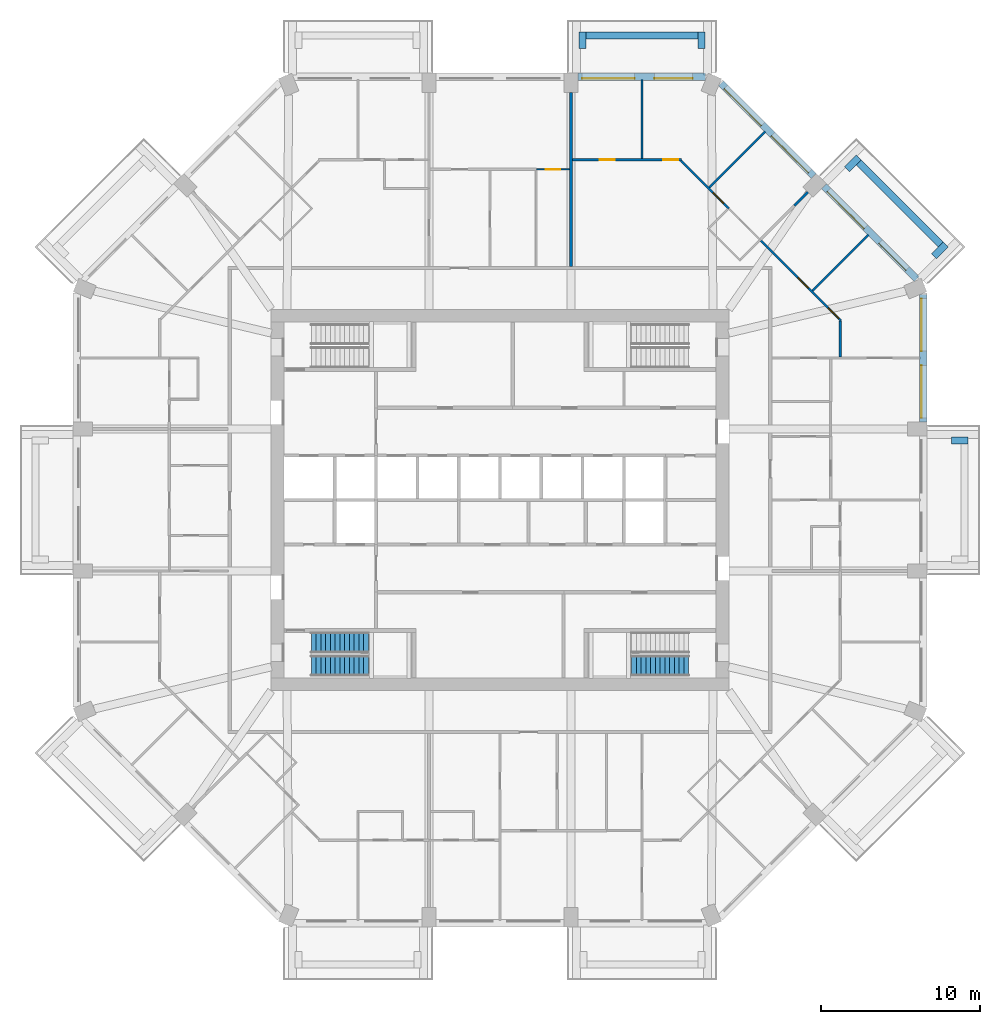
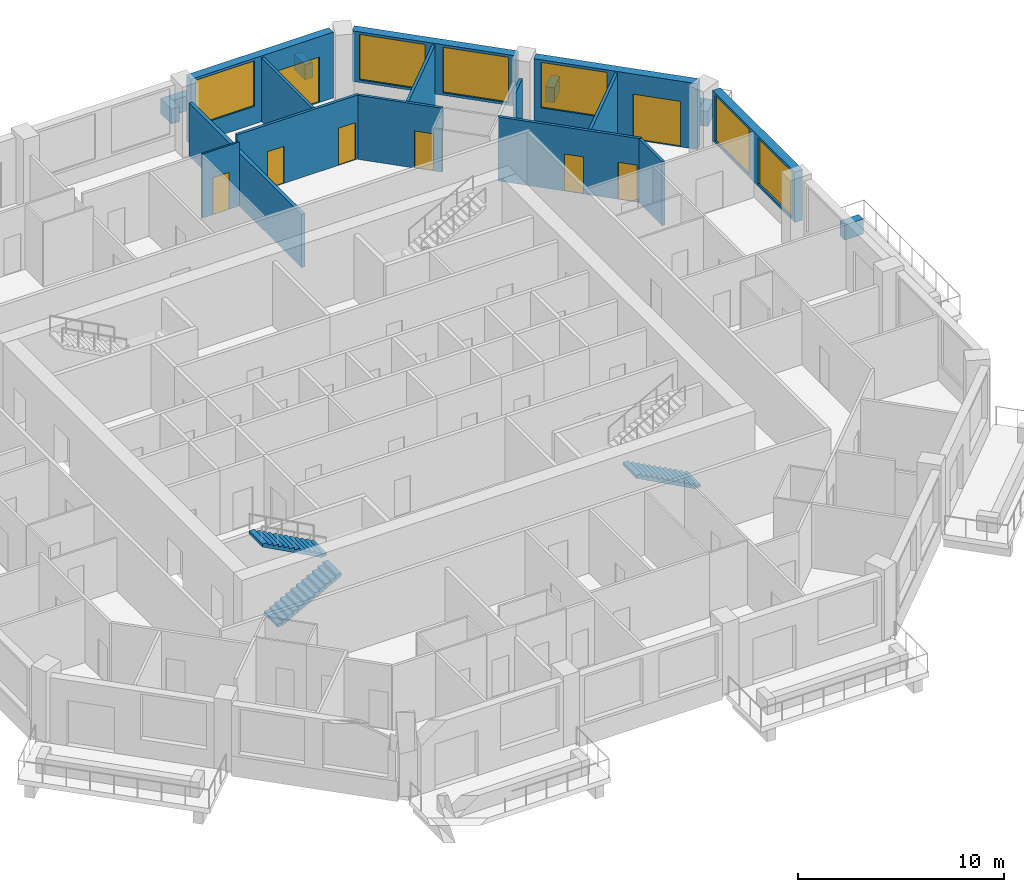
# One storey, part 10 of 13: 21 walls, 8 doors, 6 windows, 3 stair flights, 14 openings, 2 elements without a shape of their own.
"""IFC4 building model written with IfcOpenShell, lengths in metres."""

from ifc_helpers import new_model, si_unit, direction, frame, frame_2d, origin, place, context, subcontext, project, spatial, polyline, rectangle, outline, extrude, material, layer, layer_set, type_object, element, fill, aggregate, save


model = new_model("IFC4")

# Units and contexts
model_context = context("Model", 3, precision=1e-05, world=origin(), true_north=direction((0.0, 1.0)))
body_context = subcontext(model_context, "Body", "Model", "MODEL_VIEW")
ifc_project = project(units=[si_unit("LENGTHUNIT", "METRE"), si_unit("AREAUNIT", "SQUARE_METRE"), si_unit("VOLUMEUNIT", "CUBIC_METRE"), si_unit("PLANEANGLEUNIT", "RADIAN"), si_unit("MASSUNIT", "GRAM", prefix="KILO")], contexts=[model_context])

# Site, building, storey
site_placement = place(None, origin())
site = spatial("IfcSite", under=ifc_project, at=site_placement, CompositionType="ELEMENT")
building_placement = place(site_placement, origin())
building = spatial("IfcBuilding", under=site, at=building_placement, Name="Msitu Wima Residences", CompositionType="ELEMENT")
storey_placement = place(building_placement, frame((0.0, 0.0, 152.699951171875)))
storey = spatial("IfcBuildingStorey", under=building, at=storey_placement, Name="L35", CompositionType="ELEMENT", Elevation=152.699951171875)

# Walls
ifc_material_1 = material(Name="Facing brick")
ifc_layer_1 = layer(ifc_material_1, 0.06494140625, Name="Facing brick")
ifc_material_2 = material(Name="Concrete C40/50", Category="concrete")
ifc_layer_2 = layer(ifc_material_2, 0.156005859375, Name="Concrete C40/50")
ifc_material_3 = material(Name="Waterproofing membrane")
ifc_layer_3 = layer(ifc_material_3, 0.00390625, Name="Waterproofing membrane")
ifc_material_4 = material(Name="Planting soil and planting")
ifc_layer_4 = layer(ifc_material_4, 0.22509765625, Name="Planting soil and planting")
ifc_layer_set_1 = layer_set([ifc_layer_1, ifc_layer_2, ifc_layer_3, ifc_layer_4], Name="Concrete C40/50")
wall_type_1 = type_object("IfcWallType", Name="Balcony planter PLANTER PL450", PredefinedType="USERDEFINED", material=ifc_layer_set_1)
wall_1_placement = place(storey_placement, frame((28.39990234375, 3.74365234375, 0.0), z_axis=(0.0, 0.0, 1.0), x_axis=(1.0, 0.0, 0.0)))
element("IfcWall", 1, at=wall_1_placement, inside=storey, type_object=wall_type_1, Name="Balcony planter E1 L35", ObjectType="PLANTER", PredefinedType="USERDEFINED", context=body_context, shape_type="SweptSolid", body=[
    extrude(rectangle(XDim=1.050048828125, YDim=0.449951171875, at=frame_2d((0.52490234375, 0.0))), origin(), (0.0, 0.0, 1.0), 0.900146484375),
])
wall_2_placement = place(storey_placement, frame((27.725830078125, 16.0751953125, 0.0), z_axis=(0.0, 0.0, 1.0), x_axis=(-0.707106781187, 0.707106781187, 0.0)))
element("IfcWall", 2, at=wall_2_placement, inside=storey, type_object=wall_type_1, Name="Balcony planter NE0 L35", ObjectType="PLANTER", PredefinedType="USERDEFINED", context=body_context, shape_type="SweptSolid", body=[
    extrude(rectangle(XDim=7.288330078125, YDim=0.449951171875, at=frame_2d((3.64404296875, 0.0))), origin(), (0.0, 0.0, 1.0), 0.900146484375),
])
for number, where, z_axis, x_axis, name in (
    (3, (27.301513671875, 15.332763671875, 0.0), (0.0, 0.0, 1.0), (0.707106781187, 0.707106781187, 0.0), "Balcony planter NE0 L35"),
    (4, (21.829833984375, 20.804443359375, 0.0), (0.0, 0.0, 1.0), (0.707106781187, 0.707106781187, 0.0), "Balcony planter NE0 L35"),
):
    element("IfcWall", number, at=place(storey_placement, frame(where, z_axis=z_axis, x_axis=x_axis)), inside=storey, type_object=wall_type_1, Name=name, ObjectType="PLANTER", PredefinedType="USERDEFINED", context=body_context, shape_type="SweptSolid", body=[
        extrude(rectangle(XDim=1.050048828125, YDim=0.449951171875, at=frame_2d((0.52490234375, 0.0))), origin(), (0.0, 0.0, 1.0), 0.900146484375),
    ])
wall_3_placement = place(storey_placement, frame((12.455810546875, 29.22509765625, 0.0), z_axis=(0.0, 0.0, 1.0), x_axis=(-1.0, 0.0, 0.0)))
element("IfcWall", 5, at=wall_3_placement, inside=storey, type_object=wall_type_1, Name="Balcony planter N0 L35", ObjectType="PLANTER", PredefinedType="USERDEFINED", context=body_context, shape_type="SweptSolid", body=[
    extrude(rectangle(XDim=7.037109375, YDim=0.449951171875, at=frame_2d((3.5185546875, 0.0))), origin(), (0.0, 0.0, 1.0), 0.900146484375),
])
for number, where, z_axis, x_axis, name in (
    (6, (12.680908203125, 28.39990234375, 0.0), (0.0, 0.0, 1.0), (0.0, 1.0, 0.0), "Balcony planter N0 L35"),
    (7, (5.193603515625, 28.39990234375, 0.0), (0.0, 0.0, 1.0), (0.0, 1.0, 0.0), "Balcony planter N0 L35"),
):
    element("IfcWall", number, at=place(storey_placement, frame(where, z_axis=z_axis, x_axis=x_axis)), inside=storey, type_object=wall_type_1, Name=name, ObjectType="PLANTER", PredefinedType="USERDEFINED", context=body_context, shape_type="SweptSolid", body=[
        extrude(rectangle(XDim=1.050048828125, YDim=0.449951171875, at=frame_2d((0.52490234375, 0.0))), origin(), (0.0, 0.0, 1.0), 0.900146484375),
    ])

# Wall, openings, windows
ifc_material_5 = material(Name="Brick (red buff mix)", Category="masonry")
ifc_layer_5 = layer(ifc_material_5, 0.449951171875)
ifc_layer_set_2 = layer_set([ifc_layer_5], Name="Brick (red buff mix)")
wall_type_2 = type_object("IfcWallType", Name="Brick infill wall BW450", PredefinedType="SOLIDWALL", material=ifc_layer_set_2)
wall_4_placement = place(storey_placement, frame((26.625, 4.918701171875, 0.900146484375), z_axis=(0.0, 0.0, 1.0), x_axis=(0.0, 1.0, 0.0)))
wall_4 = element("IfcWall", 8, at=wall_4_placement, inside=storey, type_object=wall_type_2, Name="Brick infill wall L35 E2", PredefinedType="SOLIDWALL", context=body_context, shape_type="SweptSolid", body=[
    extrude(rectangle(XDim=8.0, YDim=0.449951171875, at=frame_2d((4.0, 0.0))), origin(), (0.0, 0.0, 1.0), 3.0),
])
opening_1_placement = place(wall_4_placement, frame((0.25, 0.0, 0.14990234375)))
opening_1 = element("IfcOpeningElement", 9, at=opening_1_placement, cuts=wall_4, Name="Opening W34-35.004", PredefinedType="OPENING", context=body_context, shape_type="SweptSolid", body=[
    extrude(rectangle(XDim=3.300048828125, YDim=2.699951171875, at=frame_2d((1.64990234375, 1.35009765625))), frame((0.0, 0.23486328125, 0.0), z_axis=(0.0, -1.0, 0.0), x_axis=(1.0, 0.0, 0.0)), (0.0, 0.0, 1.0), 0.469970703125),
])
opening_2_placement = place(wall_4_placement, frame((4.4501953125, 0.0, 0.14990234375)))
opening_2 = element("IfcOpeningElement", 10, at=opening_2_placement, cuts=wall_4, Name="Opening W34-35.005", PredefinedType="OPENING", context=body_context, shape_type="SweptSolid", body=[
    extrude(rectangle(XDim=3.300048828125, YDim=2.699951171875, at=frame_2d((1.64990234375, 1.35009765625))), frame((0.0, 0.23486328125, 0.0), z_axis=(0.0, -1.0, 0.0), x_axis=(1.0, 0.0, 0.0)), (0.0, 0.0, 1.0), 0.469970703125),
])
ifc_material_6 = material(Name="Anodised aluminium, bronze finish, clear low-emissivity double glazing", Category="aluminium")
window_type = type_object("IfcWindowType", Name="Window W3300x2700", PartitioningType="DOUBLE_PANEL_VERTICAL", PredefinedType="WINDOW", material=ifc_material_6)
window_1_placement = place(opening_1_placement, origin())
window_1 = element("IfcWindow", 11, at=window_1_placement, inside=storey, type_object=window_type, Name="Window L35 E2.1", OverallHeight=2.699951171875, OverallWidth=3.300048828125, PartitioningType="SINGLE_PANEL", PredefinedType="WINDOW", context=body_context, shape_type="SweptSolid", body=[
    extrude(rectangle(XDim=3.300048828125, YDim=2.699951171875, at=frame_2d((1.64990234375, 1.35009765625))), frame((0.0, 0.135009765625, 0.0), z_axis=(0.0, -1.0, 0.0), x_axis=(1.0, 0.0, 0.0)), (0.0, 0.0, 1.0), 0.06005859375),
])
fill(opening_1, window_1)
window_2_placement = place(opening_2_placement, origin())
window_2 = element("IfcWindow", 12, at=window_2_placement, inside=storey, type_object=window_type, Name="Window L35 E2.2", OverallHeight=2.699951171875, OverallWidth=3.300048828125, PartitioningType="SINGLE_PANEL", PredefinedType="WINDOW", context=body_context, shape_type="SweptSolid", body=[
    extrude(rectangle(XDim=3.300048828125, YDim=2.699951171875, at=frame_2d((1.64990234375, 1.35009765625))), frame((0.0, 0.135009765625, 0.0), z_axis=(0.0, -1.0, 0.0), x_axis=(1.0, 0.0, 0.0)), (0.0, 0.0, 1.0), 0.06005859375),
])
fill(opening_2, window_2)

# Wall, openings, door, window
wall_5_placement = place(storey_placement, frame((26.214599609375, 13.909423828125, 0.0), z_axis=(0.0, 0.0, 1.0), x_axis=(-0.707106781187, 0.707106781187, 0.0)))
wall_5 = element("IfcWall", 13, at=wall_5_placement, inside=storey, type_object=wall_type_2, Name="Brick infill wall L35 NE0", PredefinedType="SOLIDWALL", context=body_context, shape_type="SweptSolid", body=[
    extrude(rectangle(XDim=8.251220703125, YDim=0.449951171875, at=frame_2d((4.12548828125, 0.0))), origin(), (0.0, 0.0, 1.0), 3.900146484375),
])
opening_3_placement = place(wall_5_placement, frame((0.86279296875, 0.0, 0.0)))
opening_3 = element("IfcOpeningElement", 14, at=opening_3_placement, cuts=wall_5, Name="Opening D34-35.004", PredefinedType="OPENING", context=body_context, shape_type="SweptSolid", body=[
    extrude(rectangle(XDim=2.39990234375, YDim=2.699951171875, at=frame_2d((1.199951171875, 1.35009765625))), frame((0.0, 0.23486328125, 0.0), z_axis=(0.0, -1.0, 0.0), x_axis=(1.0, 0.0, 0.0)), (0.0, 0.0, 1.0), 0.469970703125),
])
opening_4_placement = place(wall_5_placement, frame((4.57568359375, 0.0, 1.050048828125)))
opening_4 = element("IfcOpeningElement", 15, at=opening_4_placement, cuts=wall_5, Name="Opening W34-35.010", PredefinedType="OPENING", context=body_context, shape_type="SweptSolid", body=[
    extrude(rectangle(XDim=3.300048828125, YDim=2.699951171875, at=frame_2d((1.64990234375, 1.35009765625))), frame((0.0, 0.23486328125, 0.0), z_axis=(0.0, -1.0, 0.0), x_axis=(1.0, 0.0, 0.0)), (0.0, 0.0, 1.0), 0.469970703125),
])
door_type_1 = type_object("IfcDoorType", Name="Balcony door D2400x2700", OperationType="SLIDING_TO_LEFT", PredefinedType="DOOR", material=ifc_material_6)
door_1_placement = place(opening_3_placement, origin())
door_1 = element("IfcDoor", 16, at=door_1_placement, inside=storey, type_object=door_type_1, Name="Balcony door L35 NE0", OperationType="SINGLE_SWING_LEFT", OverallHeight=2.699951171875, OverallWidth=2.39990234375, PredefinedType="DOOR", context=body_context, shape_type="SweptSolid", body=[
    extrude(rectangle(XDim=2.39990234375, YDim=2.699951171875, at=frame_2d((1.199951171875, 1.35009765625))), frame((0.0, 0.1298828125, 0.0), z_axis=(0.0, -1.0, 0.0), x_axis=(1.0, 0.0, 0.0)), (0.0, 0.0, 1.0), 0.050048828125),
])
fill(opening_3, door_1)
window_3_placement = place(opening_4_placement, origin())
window_3 = element("IfcWindow", 17, at=window_3_placement, inside=storey, type_object=window_type, Name="Window L35 NE0.2", OverallHeight=2.699951171875, OverallWidth=3.300048828125, PartitioningType="SINGLE_PANEL", PredefinedType="WINDOW", context=body_context, shape_type="SweptSolid", body=[
    extrude(rectangle(XDim=3.300048828125, YDim=2.699951171875, at=frame_2d((1.64990234375, 1.35009765625))), frame((0.0, 0.135009765625, 0.0), z_axis=(0.0, -1.0, 0.0), x_axis=(1.0, 0.0, 0.0)), (0.0, 0.0, 1.0), 0.06005859375),
])
fill(opening_4, window_3)

# Wall, openings, windows
wall_6_placement = place(storey_placement, frame((19.743896484375, 20.380126953125, 0.900146484375), z_axis=(0.0, 0.0, 1.0), x_axis=(-0.707106781187, 0.707106781187, 0.0)))
wall_6 = element("IfcWall", 18, at=wall_6_placement, inside=storey, type_object=wall_type_2, Name="Brick infill wall L35 NE1", PredefinedType="SOLIDWALL", context=body_context, shape_type="SweptSolid", body=[
    extrude(rectangle(XDim=8.251220703125, YDim=0.449951171875, at=frame_2d((4.12548828125, 0.0))), origin(), (0.0, 0.0, 1.0), 3.0),
])
opening_5_placement = place(wall_6_placement, frame((0.37548828125, 0.0, 0.14990234375)))
opening_5 = element("IfcOpeningElement", 19, at=opening_5_placement, cuts=wall_6, Name="Opening W34-35.011", PredefinedType="OPENING", context=body_context, shape_type="SweptSolid", body=[
    extrude(rectangle(XDim=3.300048828125, YDim=2.699951171875, at=frame_2d((1.64990234375, 1.35009765625))), frame((0.0, 0.23486328125, 0.0), z_axis=(0.0, -1.0, 0.0), x_axis=(1.0, 0.0, 0.0)), (0.0, 0.0, 1.0), 0.469970703125),
])
opening_6_placement = place(wall_6_placement, frame((4.57568359375, 0.0, 0.14990234375)))
opening_6 = element("IfcOpeningElement", 20, at=opening_6_placement, cuts=wall_6, Name="Opening W34-35.012", PredefinedType="OPENING", context=body_context, shape_type="SweptSolid", body=[
    extrude(rectangle(XDim=3.300048828125, YDim=2.699951171875, at=frame_2d((1.64990234375, 1.35009765625))), frame((0.0, 0.23486328125, 0.0), z_axis=(0.0, -1.0, 0.0), x_axis=(1.0, 0.0, 0.0)), (0.0, 0.0, 1.0), 0.469970703125),
])
window_4_placement = place(opening_5_placement, origin())
window_4 = element("IfcWindow", 21, at=window_4_placement, inside=storey, type_object=window_type, Name="Window L35 NE1.1", OverallHeight=2.699951171875, OverallWidth=3.300048828125, PartitioningType="SINGLE_PANEL", PredefinedType="WINDOW", context=body_context, shape_type="SweptSolid", body=[
    extrude(rectangle(XDim=3.300048828125, YDim=2.699951171875, at=frame_2d((1.64990234375, 1.35009765625))), frame((0.0, 0.135009765625, 0.0), z_axis=(0.0, -1.0, 0.0), x_axis=(1.0, 0.0, 0.0)), (0.0, 0.0, 1.0), 0.06005859375),
])
fill(opening_5, window_4)
window_5_placement = place(opening_6_placement, origin())
window_5 = element("IfcWindow", 22, at=window_5_placement, inside=storey, type_object=window_type, Name="Window L35 NE1.2", OverallHeight=2.699951171875, OverallWidth=3.300048828125, PartitioningType="SINGLE_PANEL", PredefinedType="WINDOW", context=body_context, shape_type="SweptSolid", body=[
    extrude(rectangle(XDim=3.300048828125, YDim=2.699951171875, at=frame_2d((1.64990234375, 1.35009765625))), frame((0.0, 0.135009765625, 0.0), z_axis=(0.0, -1.0, 0.0), x_axis=(1.0, 0.0, 0.0)), (0.0, 0.0, 1.0), 0.06005859375),
])
fill(opening_6, window_5)

# Wall, openings, door, window
wall_7_placement = place(storey_placement, frame((12.918701171875, 26.625, 0.0), z_axis=(0.0, 0.0, 1.0), x_axis=(-1.0, 0.0, 0.0)))
wall_7 = element("IfcWall", 23, at=wall_7_placement, inside=storey, type_object=wall_type_2, Name="Brick infill wall L35 N0", PredefinedType="SOLIDWALL", context=body_context, shape_type="SweptSolid", body=[
    extrude(rectangle(XDim=8.0, YDim=0.449951171875, at=frame_2d((4.0, 0.0))), origin(), (0.0, 0.0, 1.0), 3.900146484375),
])
opening_7_placement = place(wall_7_placement, frame((0.800048828125, 0.0, 0.0)))
opening_7 = element("IfcOpeningElement", 24, at=opening_7_placement, cuts=wall_7, Name="Opening D34-35.002", PredefinedType="OPENING", context=body_context, shape_type="SweptSolid", body=[
    extrude(rectangle(XDim=2.39990234375, YDim=2.699951171875, at=frame_2d((1.199951171875, 1.35009765625))), frame((0.0, 0.23486328125, 0.0), z_axis=(0.0, -1.0, 0.0), x_axis=(1.0, 0.0, 0.0)), (0.0, 0.0, 1.0), 0.469970703125),
])
opening_8_placement = place(wall_7_placement, frame((4.4501953125, 0.0, 1.050048828125)))
opening_8 = element("IfcOpeningElement", 25, at=opening_8_placement, cuts=wall_7, Name="Opening W34-35.006", PredefinedType="OPENING", context=body_context, shape_type="SweptSolid", body=[
    extrude(rectangle(XDim=3.300048828125, YDim=2.699951171875, at=frame_2d((1.64990234375, 1.35009765625))), frame((0.0, 0.23486328125, 0.0), z_axis=(0.0, -1.0, 0.0), x_axis=(1.0, 0.0, 0.0)), (0.0, 0.0, 1.0), 0.469970703125),
])
door_2_placement = place(opening_7_placement, origin())
door_2 = element("IfcDoor", 26, at=door_2_placement, inside=storey, type_object=door_type_1, Name="Balcony door L35 N0", OperationType="SINGLE_SWING_LEFT", OverallHeight=2.699951171875, OverallWidth=2.39990234375, PredefinedType="DOOR", context=body_context, shape_type="SweptSolid", body=[
    extrude(rectangle(XDim=2.39990234375, YDim=2.699951171875, at=frame_2d((1.199951171875, 1.35009765625))), frame((0.0, 0.1298828125, 0.0), z_axis=(0.0, -1.0, 0.0), x_axis=(1.0, 0.0, 0.0)), (0.0, 0.0, 1.0), 0.050048828125),
])
fill(opening_7, door_2)
window_6_placement = place(opening_8_placement, origin())
window_6 = element("IfcWindow", 27, at=window_6_placement, inside=storey, type_object=window_type, Name="Window L35 N0.2", OverallHeight=2.699951171875, OverallWidth=3.300048828125, PartitioningType="SINGLE_PANEL", PredefinedType="WINDOW", context=body_context, shape_type="SweptSolid", body=[
    extrude(rectangle(XDim=3.300048828125, YDim=2.699951171875, at=frame_2d((1.64990234375, 1.35009765625))), frame((0.0, 0.135009765625, 0.0), z_axis=(0.0, -1.0, 0.0), x_axis=(1.0, 0.0, 0.0)), (0.0, 0.0, 1.0), 0.06005859375),
])
fill(opening_8, window_6)

# Wall, openings, doors
ifc_material_7 = material(Name="Plaster")
ifc_layer_6 = layer(ifc_material_7, 0.011962890625, Name="Plaster")
ifc_material_8 = material(Name="Concrete blockwork", Category="masonry")
ifc_layer_7 = layer(ifc_material_8, 0.1259765625, Name="Concrete blockwork")
ifc_layer_8 = layer(ifc_material_7, 0.011962890625, Name="Plaster")
ifc_layer_set_3 = layer_set([ifc_layer_6, ifc_layer_7, ifc_layer_8], Name="Concrete blockwork")
wall_type_3 = type_object("IfcWallType", Name="Partition PW150", PredefinedType="PARTITIONING", material=ifc_layer_set_3)
wall_8_placement = place(storey_placement, frame((4.568603515625, 21.39990234375, 0.0), z_axis=(0.0, 0.0, 1.0), x_axis=(1.0, 0.0, 0.0)))
wall_8 = element("IfcWall", 28, at=wall_8_placement, inside=storey, type_object=wall_type_3, Name="Partition", PredefinedType="PARTITIONING", context=body_context, shape_type="SweptSolid", body=[
    extrude(rectangle(XDim=6.84130859375, YDim=0.14990234375, at=frame_2d((3.420654296875, 0.0))), origin(), (0.0, 0.0, 1.0), 3.798095703125),
])
opening_9_placement = place(wall_8_placement, frame((1.699951171875, 0.0, 0.0)))
opening_9 = element("IfcOpeningElement", 29, at=opening_9_placement, cuts=wall_8, Name="Opening D34-35.088", PredefinedType="OPENING", context=body_context, shape_type="SweptSolid", body=[
    extrude(rectangle(XDim=0.949951171875, YDim=2.199951171875, at=frame_2d((0.47509765625, 1.10009765625))), frame((0.0, 0.0849609375, 0.0), z_axis=(0.0, -1.0, 0.0), x_axis=(1.0, 0.0, 0.0)), (0.0, 0.0, 1.0), 0.169921875),
])
opening_10_placement = place(wall_8_placement, frame((5.699951171875, 0.0, 0.0)))
opening_10 = element("IfcOpeningElement", 30, at=opening_10_placement, cuts=wall_8, Name="Opening D34-35.043", PredefinedType="OPENING", context=body_context, shape_type="SweptSolid", body=[
    extrude(rectangle(XDim=0.949951171875, YDim=2.199951171875, at=frame_2d((0.47509765625, 1.10009765625))), frame((0.0, 0.0849609375, 0.0), z_axis=(0.0, -1.0, 0.0), x_axis=(1.0, 0.0, 0.0)), (0.0, 0.0, 1.0), 0.169921875),
])
ifc_material_9 = material(Name="Timber flush door", Category="wood")
door_type_2 = type_object("IfcDoorType", Name="Room door D12 950x2200", OperationType="SINGLE_SWING_LEFT", PredefinedType="DOOR", material=ifc_material_9)
door_3_placement = place(opening_9_placement, origin())
door_3 = element("IfcDoor", 31, at=door_3_placement, inside=storey, type_object=door_type_2, Name="Room door", OperationType="SINGLE_SWING_RIGHT", OverallHeight=2.199951171875, OverallWidth=0.949951171875, PredefinedType="DOOR", context=body_context, shape_type="SweptSolid", body=[
    extrude(rectangle(XDim=0.949951171875, YDim=2.199951171875, at=frame_2d((0.47509765625, 1.10009765625))), frame((0.0, 0.02490234375, 0.0), z_axis=(0.0, -1.0, 0.0), x_axis=(1.0, 0.0, 0.0)), (0.0, 0.0, 1.0), 0.050048828125),
])
fill(opening_9, door_3)
door_4_placement = place(opening_10_placement, origin())
door_4 = element("IfcDoor", 32, at=door_4_placement, inside=storey, type_object=door_type_2, Name="Room door", OperationType="SINGLE_SWING_LEFT", OverallHeight=2.199951171875, OverallWidth=0.949951171875, PredefinedType="DOOR", context=body_context, shape_type="SweptSolid", body=[
    extrude(rectangle(XDim=0.949951171875, YDim=2.199951171875, at=frame_2d((0.47509765625, 1.10009765625))), frame((0.0, 0.02490234375, 0.0), z_axis=(0.0, -1.0, 0.0), x_axis=(1.0, 0.0, 0.0)), (0.0, 0.0, 1.0), 0.050048828125),
])
fill(opening_10, door_4)

# Wall
wall_9_placement = place(storey_placement, frame((8.937255859375, 21.47509765625, 0.0), z_axis=(0.0, 0.0, 1.0), x_axis=(0.0, 1.0, 0.0)))
element("IfcWall", 33, at=wall_9_placement, inside=storey, type_object=wall_type_3, Name="Partition", PredefinedType="PARTITIONING", context=body_context, shape_type="SweptSolid", body=[
    extrude(rectangle(XDim=4.97998046875, YDim=0.14990234375, at=frame_2d((2.489990234375, 0.0))), origin(), (0.0, 0.0, 1.0), 3.798095703125),
])

# Wall, opening, door
wall_10_placement = place(storey_placement, frame((11.387939453125, 21.346923828125, 0.0), z_axis=(0.0, 0.0, 1.0), x_axis=(0.707106781187, -0.707106781187, 0.0)))
wall_10 = element("IfcWall", 34, at=wall_10_placement, inside=storey, type_object=wall_type_3, Name="Partition", PredefinedType="PARTITIONING", context=body_context, shape_type="SweptSolid", body=[
    extrude(rectangle(XDim=4.241943359375, YDim=0.14990234375, at=frame_2d((2.12109375, 0.0))), origin(), (0.0, 0.0, 1.0), 3.798095703125),
])
opening_11_placement = place(wall_10_placement, frame((2.85009765625, 0.0, 0.0)))
opening_11 = element("IfcOpeningElement", 35, at=opening_11_placement, cuts=wall_10, Name="Opening D34-35.089", PredefinedType="OPENING", context=body_context, shape_type="SweptSolid", body=[
    extrude(rectangle(XDim=0.949951171875, YDim=2.199951171875, at=frame_2d((0.47509765625, 1.10009765625))), frame((0.0, 0.0849609375, 0.0), z_axis=(0.0, -1.0, 0.0), x_axis=(1.0, 0.0, 0.0)), (0.0, 0.0, 1.0), 0.169921875),
])
door_5_placement = place(opening_11_placement, origin())
door_5 = element("IfcDoor", 36, at=door_5_placement, inside=storey, type_object=door_type_2, Name="Room door", OperationType="SINGLE_SWING_LEFT", OverallHeight=2.199951171875, OverallWidth=0.949951171875, PredefinedType="DOOR", context=body_context, shape_type="SweptSolid", body=[
    extrude(rectangle(XDim=0.949951171875, YDim=2.199951171875, at=frame_2d((0.47509765625, 1.10009765625))), frame((0.0, 0.02490234375, 0.0), z_axis=(0.0, -1.0, 0.0), x_axis=(1.0, 0.0, 0.0)), (0.0, 0.0, 1.0), 0.050048828125),
])
fill(opening_11, door_5)

# Walls
wall_11_placement = place(storey_placement, frame((13.171875, 19.6689453125, 0.0), z_axis=(0.0, 0.0, 1.0), x_axis=(0.707106781187, 0.707106781187, 0.0)))
element("IfcWall", 37, at=wall_11_placement, inside=storey, type_object=wall_type_3, Name="Partition", PredefinedType="PARTITIONING", context=body_context, shape_type="SweptSolid", body=[
    extrude(rectangle(XDim=4.980224609375, YDim=0.14990234375, at=frame_2d((2.490234375, 0.0))), origin(), (0.0, 0.0, 1.0), 3.798095703125),
])
wall_12_placement = place(storey_placement, frame((18.517578125, 18.517578125, 0.0), z_axis=(0.0, 0.0, 1.0), x_axis=(0.707106781187, 0.707106781187, 0.0)))
element("IfcWall", 38, at=wall_12_placement, inside=storey, type_object=wall_type_3, Name="Partition", PredefinedType="PARTITIONING", context=body_context, shape_type="SweptSolid", body=[
    extrude(rectangle(XDim=1.209228515625, YDim=0.14990234375, at=frame_2d((0.6044921875, 0.0))), origin(), (0.0, 0.0, 1.0), 3.150146484375),
])

# Wall, openings, doors
wall_13_placement = place(storey_placement, frame((16.367431640625, 16.367431640625, 0.0), z_axis=(0.0, 0.0, 1.0), x_axis=(0.707106781187, -0.707106781187, 0.0)))
wall_13 = element("IfcWall", 39, at=wall_13_placement, inside=storey, type_object=wall_type_3, Name="Partition", PredefinedType="PARTITIONING", context=body_context, shape_type="SweptSolid", body=[
    extrude(rectangle(XDim=7.192138671875, YDim=0.14990234375, at=frame_2d((3.59619140625, 0.0))), origin(), (0.0, 0.0, 1.0), 3.798095703125),
])
opening_12_placement = place(wall_13_placement, frame((6.050048828125, 0.0, 0.0)))
opening_12 = element("IfcOpeningElement", 40, at=opening_12_placement, cuts=wall_13, Name="Opening D34-35.087", PredefinedType="OPENING", context=body_context, shape_type="SweptSolid", body=[
    extrude(rectangle(XDim=0.949951171875, YDim=2.199951171875, at=frame_2d((0.47509765625, 1.10009765625))), frame((0.0, 0.0849609375, 0.0), z_axis=(0.0, -1.0, 0.0), x_axis=(1.0, 0.0, 0.0)), (0.0, 0.0, 1.0), 0.169921875),
])
opening_13_placement = place(wall_13_placement, frame((3.35009765625, 0.0, 0.0)))
opening_13 = element("IfcOpeningElement", 41, at=opening_13_placement, cuts=wall_13, Name="Opening D34-35.041", PredefinedType="OPENING", context=body_context, shape_type="SweptSolid", body=[
    extrude(rectangle(XDim=0.949951171875, YDim=2.199951171875, at=frame_2d((0.47509765625, 1.10009765625))), frame((0.0, 0.0849609375, 0.0), z_axis=(0.0, -1.0, 0.0), x_axis=(1.0, 0.0, 0.0)), (0.0, 0.0, 1.0), 0.169921875),
])
door_6_placement = place(opening_12_placement, origin())
door_6 = element("IfcDoor", 42, at=door_6_placement, inside=storey, type_object=door_type_2, Name="Room door", OperationType="SINGLE_SWING_LEFT", OverallHeight=2.199951171875, OverallWidth=0.949951171875, PredefinedType="DOOR", context=body_context, shape_type="SweptSolid", body=[
    extrude(rectangle(XDim=0.949951171875, YDim=2.199951171875, at=frame_2d((0.47509765625, 1.10009765625))), frame((0.0, 0.02490234375, 0.0), z_axis=(0.0, -1.0, 0.0), x_axis=(1.0, 0.0, 0.0)), (0.0, 0.0, 1.0), 0.050048828125),
])
fill(opening_12, door_6)
door_7_placement = place(opening_13_placement, origin())
door_7 = element("IfcDoor", 43, at=door_7_placement, inside=storey, type_object=door_type_2, Name="Room door", OperationType="SINGLE_SWING_RIGHT", OverallHeight=2.199951171875, OverallWidth=0.949951171875, PredefinedType="DOOR", context=body_context, shape_type="SweptSolid", body=[
    extrude(rectangle(XDim=0.949951171875, YDim=2.199951171875, at=frame_2d((0.47509765625, 1.10009765625))), frame((0.0, 0.02490234375, 0.0), z_axis=(0.0, -1.0, 0.0), x_axis=(1.0, 0.0, 0.0)), (0.0, 0.0, 1.0), 0.050048828125),
])
fill(opening_13, door_7)

# Walls
wall_14_placement = place(storey_placement, frame((19.6689453125, 13.171875, 0.0), z_axis=(0.0, 0.0, 1.0), x_axis=(0.707106781187, 0.707106781187, 0.0)))
element("IfcWall", 44, at=wall_14_placement, inside=storey, type_object=wall_type_3, Name="Partition", PredefinedType="PARTITIONING", context=body_context, shape_type="SweptSolid", body=[
    extrude(rectangle(XDim=4.980224609375, YDim=0.14990234375, at=frame_2d((2.490234375, 0.0))), origin(), (0.0, 0.0, 1.0), 3.798095703125),
])
wall_15_placement = place(storey_placement, frame((21.39990234375, 9.01220703125, 0.0), z_axis=(0.0, 0.0, 1.0), x_axis=(0.0, 1.0, 0.0)))
element("IfcWall", 45, at=wall_15_placement, inside=storey, type_object=wall_type_3, Name="Partition", PredefinedType="PARTITIONING", context=body_context, shape_type="SweptSolid", body=[
    extrude(rectangle(XDim=2.24755859375, YDim=0.14990234375, at=frame_2d((1.123779296875, 0.0))), origin(), (0.0, 0.0, 1.0), 3.798095703125),
])
ifc_layer_9 = layer(ifc_material_7, 0.011962890625, Name="Plaster")
ifc_material_10 = material(Name="Dense concrete blockwork", Category="masonry")
ifc_layer_10 = layer(ifc_material_10, 0.176025390625, Name="Dense concrete blockwork")
ifc_layer_11 = layer(ifc_material_7, 0.011962890625, Name="Plaster")
ifc_layer_set_4 = layer_set([ifc_layer_9, ifc_layer_10, ifc_layer_11], Name="Dense concrete blockwork")
wall_type_4 = type_object("IfcWallType", Name="Party wall PW200", PredefinedType="PARTITIONING", material=ifc_layer_set_4)
wall_16_placement = place(storey_placement, frame((4.46875, 14.699951171875, 0.0), z_axis=(0.0, 0.0, 1.0), x_axis=(0.0, 1.0, 0.0)))
element("IfcWall", 46, at=wall_16_placement, inside=storey, type_object=wall_type_4, Name="Party wall", PredefinedType="PARTITIONING", context=body_context, shape_type="SweptSolid", body=[
    extrude(rectangle(XDim=10.949951171875, YDim=0.199951171875, at=frame_2d((5.47509765625, 0.0))), origin(), (0.0, 0.0, 1.0), 3.150146484375),
])

# Wall, opening, door
ifc_material_11 = material(Name="Ceramic tiles")
ifc_layer_12 = layer(ifc_material_11, 0.008056640625, Name="Ceramic tiles")
ifc_material_12 = material(Name="Moisture-resistant board")
ifc_layer_13 = layer(ifc_material_12, 0.012451171875, Name="Moisture-resistant board")
ifc_material_13 = material(Name="Light-gauge stud framing with mineral wool")
ifc_layer_14 = layer(ifc_material_13, 0.06689453125, Name="Light-gauge stud framing with mineral wool")
ifc_layer_15 = layer(ifc_material_12, 0.012451171875, Name="Moisture-resistant board")
ifc_layer_set_5 = layer_set([ifc_layer_12, ifc_layer_13, ifc_layer_14, ifc_layer_15], Name="Light-gauge stud framing with mineral wool")
wall_type_5 = type_object("IfcWallType", Name="Wet wall PW100", PredefinedType="PARTITIONING", material=ifc_layer_set_5)
wall_17_placement = place(storey_placement, frame((2.28857421875, 20.800048828125, 0.0), z_axis=(0.0, 0.0, 1.0), x_axis=(1.0, 0.0, 0.0)))
wall_17 = element("IfcWall", 47, at=wall_17_placement, inside=storey, type_object=wall_type_5, Name="Wet wall", PredefinedType="PARTITIONING", context=body_context, shape_type="SweptSolid", body=[
    extrude(rectangle(XDim=2.080078125, YDim=0.10009765625, at=frame_2d((1.0400390625, 0.0))), origin(), (0.0, 0.0, 1.0), 3.798095703125),
])
opening_14_placement = place(wall_17_placement, frame((0.60009765625, 0.0, 0.0)))
opening_14 = element("IfcOpeningElement", 48, at=opening_14_placement, cuts=wall_17, Name="Opening D34-35.057", PredefinedType="OPENING", context=body_context, shape_type="SweptSolid", body=[
    extrude(rectangle(XDim=0.89990234375, YDim=2.199951171875, at=frame_2d((0.449951171875, 1.10009765625))), frame((0.0, 0.06005859375, 0.0), z_axis=(0.0, -1.0, 0.0), x_axis=(1.0, 0.0, 0.0)), (0.0, 0.0, 1.0), 0.1201171875),
])
ifc_material_14 = material(Name="Timber flush door, moisture resistant", Category="wood")
door_type_3 = type_object("IfcDoorType", Name="Bathroom door D03 900x2200", OperationType="SINGLE_SWING_LEFT", PredefinedType="DOOR", material=ifc_material_14)
door_8_placement = place(opening_14_placement, origin())
door_8 = element("IfcDoor", 49, at=door_8_placement, inside=storey, type_object=door_type_3, Name="Bathroom door", OperationType="SINGLE_SWING_RIGHT", OverallHeight=2.199951171875, OverallWidth=0.89990234375, PredefinedType="DOOR", context=body_context, shape_type="SweptSolid", body=[
    extrude(rectangle(XDim=0.89990234375, YDim=2.199951171875, at=frame_2d((0.449951171875, 1.10009765625))), frame((0.0, 0.02490234375, 0.0), z_axis=(0.0, -1.0, 0.0), x_axis=(1.0, 0.0, 0.0)), (0.0, 0.0, 1.0), 0.050048828125),
])
fill(opening_14, door_8)

# Stair, stair flights
stair_type = type_object("IfcStairType", Name="Exit stair ES1615-130", PredefinedType="HALF_TURN_STAIR", material=ifc_material_2)
stair_1_placement = place(storey_placement, origin())
stair_1 = element("IfcStair", 50, at=stair_1_placement, inside=storey, type_object=stair_type, Name="Exit stair 2", PredefinedType="HALF_TURN_STAIR")
stair_flight_type = type_object("IfcStairFlightType", Name="Exit stair flight ES1615-130", PredefinedType="STRAIGHT", material=ifc_material_2)
stair_flight_1_placement = place(storey_placement, frame((-11.875, -10.425048828125, 0.0), z_axis=(0.0, 0.0, 1.0), x_axis=(1.0, 0.0, 0.0)))
stair_flight_1 = element("IfcStairFlight", 51, at=stair_flight_1_placement, type_object=stair_flight_type, Name="S2 flight 1", NumberOfRisers=13, NumberOfTreads=12, PredefinedType="STRAIGHT", RiserHeight=0.161538462, TreadLength=0.3, context=body_context, shape_type="SweptSolid", body=[
    extrude(outline(polyline([(0.0, 0.0), (0.0, 0.16162109375), (0.300048828125, 0.16162109375), (0.300048828125, 0.322998046875), (0.60009765625, 0.322998046875), (0.60009765625, 0.484619140625), (0.89990234375, 0.484619140625), (0.89990234375, 0.646240234375), (1.199951171875, 0.646240234375), (1.199951171875, 0.8076171875), (1.5, 0.8076171875), (1.5, 0.96923828125), (1.800048828125, 0.96923828125), (1.800048828125, 1.130859375), (2.10009765625, 1.130859375), (2.10009765625, 1.292236328125), (2.39990234375, 1.292236328125), (2.39990234375, 1.453857421875), (2.699951171875, 1.453857421875), (2.699951171875, 1.615478515625), (3.0, 1.615478515625), (3.0, 1.77685546875), (3.300048828125, 1.77685546875), (3.300048828125, 1.9384765625), (3.60009765625, 1.9384765625), (3.60009765625, 2.10009765625), (3.60009765625, 1.768310546875), (0.316162109375, 0.0), (0.0, 0.0)])), frame((0.0, 0.64990234375, 0.0), z_axis=(0.0, -1.0, 0.0), x_axis=(1.0, 0.0, 0.0)), (0.0, 0.0, 1.0), 1.300048828125),
])
stair_flight_2_placement = place(storey_placement, frame((-8.27490234375, -8.97509765625, 2.10009765625), z_axis=(0.0, 0.0, 1.0), x_axis=(-1.0, 0.0, 0.0)))
stair_flight_2 = element("IfcStairFlight", 52, at=stair_flight_2_placement, type_object=stair_flight_type, Name="S2 flight 2", NumberOfRisers=13, NumberOfTreads=12, PredefinedType="STRAIGHT", RiserHeight=0.161538462, TreadLength=0.3, context=body_context, shape_type="SweptSolid", body=[
    extrude(outline(polyline([(0.0, 0.0), (0.0, 0.16162109375), (0.300048828125, 0.16162109375), (0.300048828125, 0.322998046875), (0.60009765625, 0.322998046875), (0.60009765625, 0.484619140625), (0.89990234375, 0.484619140625), (0.89990234375, 0.646240234375), (1.199951171875, 0.646240234375), (1.199951171875, 0.8076171875), (1.5, 0.8076171875), (1.5, 0.96923828125), (1.800048828125, 0.96923828125), (1.800048828125, 1.130859375), (2.10009765625, 1.130859375), (2.10009765625, 1.292236328125), (2.39990234375, 1.292236328125), (2.39990234375, 1.453857421875), (2.699951171875, 1.453857421875), (2.699951171875, 1.615478515625), (3.0, 1.615478515625), (3.0, 1.77685546875), (3.300048828125, 1.77685546875), (3.300048828125, 1.9384765625), (3.60009765625, 1.9384765625), (3.60009765625, 2.10009765625), (3.60009765625, 1.768310546875), (0.316162109375, 0.0), (0.0, 0.0)])), frame((0.0, 0.64990234375, 0.0), z_axis=(0.0, -1.0, 0.0), x_axis=(1.0, 0.0, 0.0)), (0.0, 0.0, 1.0), 1.300048828125),
])
aggregate(stair_1, [stair_flight_1, stair_flight_2])

# Stair, stair flight
stair_2_placement = place(storey_placement, origin())
stair_2 = element("IfcStair", 53, at=stair_2_placement, inside=storey, type_object=stair_type, Name="Exit stair 4", PredefinedType="HALF_TURN_STAIR")
stair_flight_3_placement = place(storey_placement, frame((11.875, -10.425048828125, 0.0), z_axis=(0.0, 0.0, 1.0), x_axis=(-1.0, 0.0, 0.0)))
stair_flight_3 = element("IfcStairFlight", 54, at=stair_flight_3_placement, type_object=stair_flight_type, Name="S4 flight 1", NumberOfRisers=13, NumberOfTreads=12, PredefinedType="STRAIGHT", RiserHeight=0.161538462, TreadLength=0.3, context=body_context, shape_type="SweptSolid", body=[
    extrude(outline(polyline([(0.0, 0.0), (0.0, 0.16162109375), (0.300048828125, 0.16162109375), (0.300048828125, 0.322998046875), (0.60009765625, 0.322998046875), (0.60009765625, 0.484619140625), (0.89990234375, 0.484619140625), (0.89990234375, 0.646240234375), (1.199951171875, 0.646240234375), (1.199951171875, 0.8076171875), (1.5, 0.8076171875), (1.5, 0.96923828125), (1.800048828125, 0.96923828125), (1.800048828125, 1.130859375), (2.10009765625, 1.130859375), (2.10009765625, 1.292236328125), (2.39990234375, 1.292236328125), (2.39990234375, 1.453857421875), (2.699951171875, 1.453857421875), (2.699951171875, 1.615478515625), (3.0, 1.615478515625), (3.0, 1.77685546875), (3.300048828125, 1.77685546875), (3.300048828125, 1.9384765625), (3.60009765625, 1.9384765625), (3.60009765625, 2.10009765625), (3.60009765625, 1.768310546875), (0.316162109375, 0.0), (0.0, 0.0)])), frame((0.0, 0.64990234375, 0.0), z_axis=(0.0, -1.0, 0.0), x_axis=(1.0, 0.0, 0.0)), (0.0, 0.0, 1.0), 1.300048828125),
])
aggregate(stair_2, [stair_flight_3])

save(model, "model.ifc")
